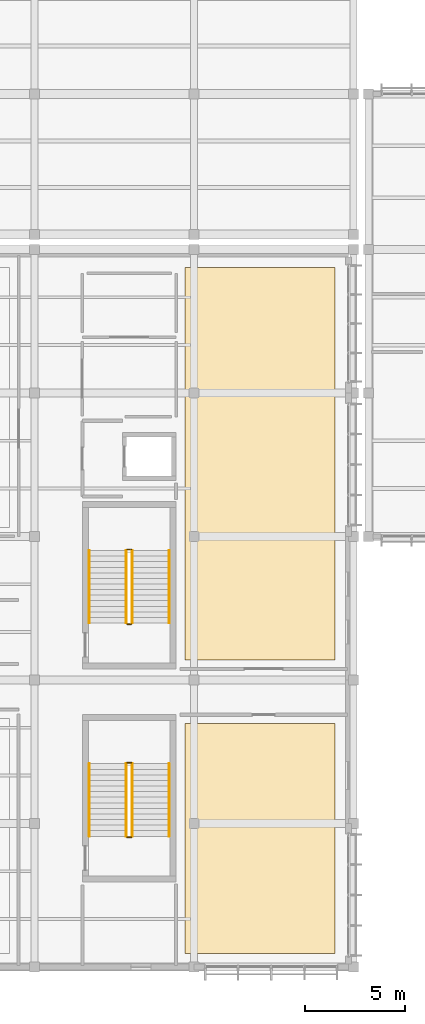
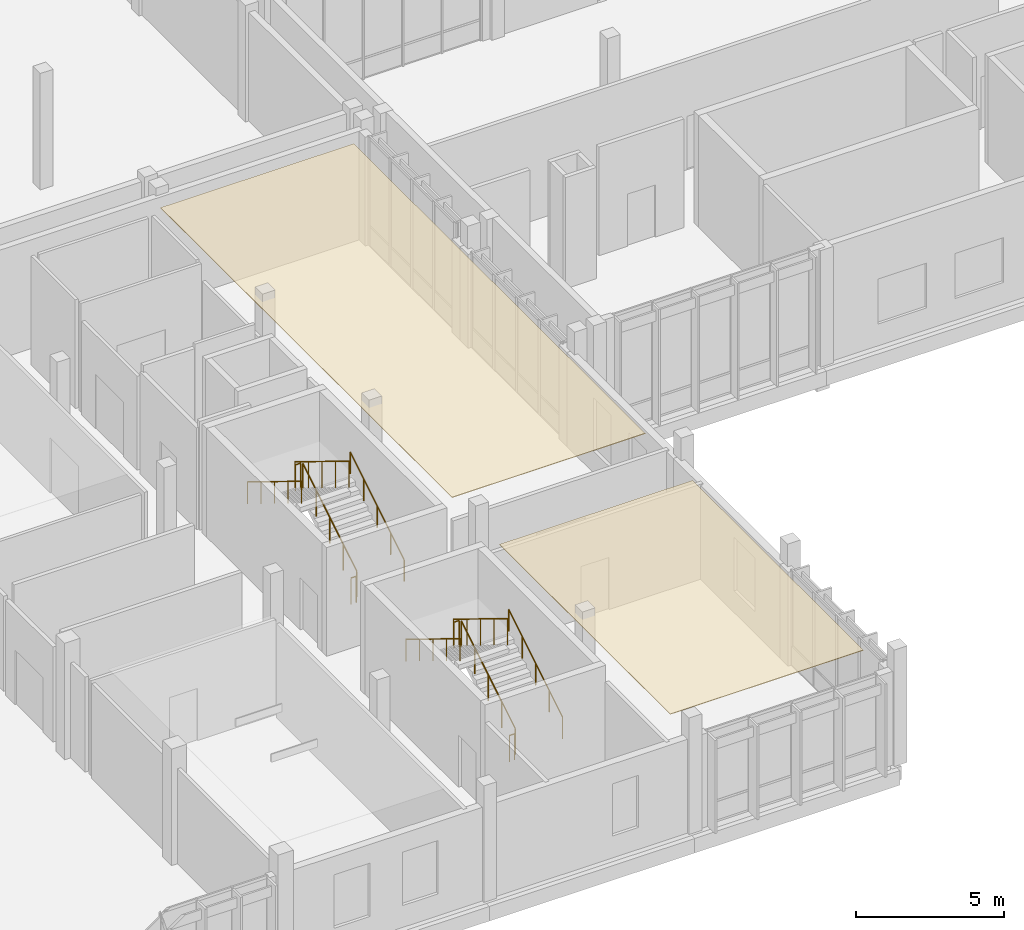
# One storey, part 165 of 177: 12 railings, 2 coverings.
"""IFC4 building model written with IfcOpenShell, lengths in metres."""

import ifcopenshell
import ifcopenshell.guid

model = None  # the IFC model being written
_history = None  # IfcOwnerHistory: only IFC2X3 demands one
_inside = {}  # id of a spatial element -> (the spatial element, [elements in it])
_under = {}  # id of a project, library or spatial element -> (it, [spatial elements below it])
_declared = {}  # id of a project -> (the project, [libraries it declares])
_typed = {}  # id of a type object -> (the type object, [elements of that type])
_made_of = {}  # id of a material, layer set ... -> (it, [elements and type objects made of it])


def new_model(schema):
    """Start an empty IFC model of exactly this schema.

    Asked for "IFC4X3", IfcOpenShell would pick the latest addendum, in which some entities
    have other attributes; the version numbers below select the first issue.
    IFC2X3 requires an IfcOwnerHistory on every rooted entity: one is made here for all.
    """
    global model, _history
    if schema == "IFC4X3":
        model = ifcopenshell.file(schema_version=(4, 3, 0, 0))
    else:
        model = ifcopenshell.file(schema=schema)
    _inside.clear()
    _under.clear()
    _declared.clear()
    _typed.clear()
    _made_of.clear()
    _history = None
    if model.schema == "IFC2X3":
        org = make("IfcOrganization", Name="unknown")
        user = make(
            "IfcPersonAndOrganization",
            ThePerson=make("IfcPerson", FamilyName="unknown"),
            TheOrganization=org,
        )
        app = make(
            "IfcApplication",
            ApplicationDeveloper=org,
            Version="unknown",
            ApplicationFullName="unknown",
            ApplicationIdentifier="unknown",
        )
        _history = make(
            "IfcOwnerHistory",
            OwningUser=user,
            OwningApplication=app,
            ChangeAction="ADDED",
            CreationDate=0,
        )
    return model


def make(cls, **values):
    """One entity of the class cls with the attributes given. An attribute that is None is left unset."""
    return model.create_entity(
        cls, **{name: value for name, value in values.items() if value is not None}
    )


def rooted(cls, **values):
    """An entity with a GlobalId (a new one), such as an element, a storey or a relation."""
    return make(cls, GlobalId=ifcopenshell.guid.new(), OwnerHistory=_history, **values)


def si_unit(unit_type, name, prefix=None):
    """IfcSIUnit, for example si_unit("LENGTHUNIT", "METRE", prefix="MILLI")."""
    return make("IfcSIUnit", UnitType=unit_type, Prefix=prefix, Name=name)


def assignment(units):
    """IfcUnitAssignment: the units of a project."""
    return None if units is None else make("IfcUnitAssignment", Units=units)


def point(xyz):
    """IfcCartesianPoint."""
    return None if xyz is None else make("IfcCartesianPoint", Coordinates=xyz)


def direction(xyz):
    """IfcDirection."""
    return None if xyz is None else make("IfcDirection", DirectionRatios=xyz)


def frame(location, z_axis=None, x_axis=None):
    """IfcAxis2Placement3D, a coordinate frame: its origin and axes. An axis left out is left unset."""
    return make(
        "IfcAxis2Placement3D",
        Location=point(location),
        Axis=direction(z_axis),
        RefDirection=direction(x_axis),
    )


def frame_2d(location, x_axis=None):
    """IfcAxis2Placement2D, a coordinate frame in the plane: its origin and x axis."""
    return make(
        "IfcAxis2Placement2D", Location=point(location), RefDirection=direction(x_axis)
    )


def origin():
    """The frame at (0, 0, 0) with its axes left unset."""
    return frame((0.0, 0.0, 0.0))


def origin_2d():
    """The frame at (0, 0) in the plane with its x axis left unset."""
    return frame_2d((0.0, 0.0))


def place(relative_to, where):
    """IfcLocalPlacement: puts the frame where relative to a parent placement (None: the world)."""
    return make(
        "IfcLocalPlacement", PlacementRelTo=relative_to, RelativePlacement=where
    )


def context(
    kind, dimensions, precision=None, world=None, true_north=None, identifier=None
):
    """IfcGeometricRepresentationContext, for example the 3D "Model" context."""
    return make(
        "IfcGeometricRepresentationContext",
        ContextIdentifier=identifier,
        ContextType=kind,
        CoordinateSpaceDimension=dimensions,
        Precision=precision,
        WorldCoordinateSystem=world,
        TrueNorth=true_north,
    )


def subcontext(parent, identifier, kind, view, scale=None):
    """IfcGeometricRepresentationSubContext, for example "Body" below "Model"."""
    return make(
        "IfcGeometricRepresentationSubContext",
        ContextIdentifier=identifier,
        ContextType=kind,
        ParentContext=parent,
        TargetScale=scale,
        TargetView=view,
    )


def project(units=None, contexts=None):
    """IfcProject with its units and contexts."""
    return rooted(
        "IfcProject",
        Name="project",
        RepresentationContexts=contexts,
        UnitsInContext=assignment(units),
    )


def spatial(cls, under=None, at=None, **own):
    """A site, building, storey or space (cls), placed at a placement, below another one or the project."""
    s = rooted(cls, ObjectPlacement=at, **own)
    if under is not None:
        _under.setdefault(under.id(), (under, []))[1].append(s)
    return s


def polyline(points):
    """IfcPolyline through the points."""
    return make("IfcPolyline", Points=[point(p) for p in points])


def profile(cls, at=None, kind="AREA", **sizes):
    """A parametric profile (cls). Its sizes go by their IFC names, for example OverallWidth=200.0."""
    return make(cls, ProfileType=kind, Position=at, **sizes)


def circle(**sizes):
    """IfcCircleProfileDef."""
    return profile("IfcCircleProfileDef", **sizes)


def outline(outer, holes=None, kind="AREA"):
    """IfcArbitraryClosedProfileDef: a profile drawn as a closed curve; with holes, ...WithVoids."""
    if holes is None:
        return make("IfcArbitraryClosedProfileDef", ProfileType=kind, OuterCurve=outer)
    return make(
        "IfcArbitraryProfileDefWithVoids",
        ProfileType=kind,
        OuterCurve=outer,
        InnerCurves=holes,
    )


def extrude(swept, where, along, depth):
    """IfcExtrudedAreaSolid: the profile swept, set in the frame where, extruded along a direction by depth."""
    return make(
        "IfcExtrudedAreaSolid",
        SweptArea=swept,
        Position=where,
        ExtrudedDirection=direction(along),
        Depth=depth,
    )


def shape(context_of_items, identifier, shape_type, items):
    """IfcShapeRepresentation: the items that make up one representation, for example the "Body"."""
    return make(
        "IfcShapeRepresentation",
        ContextOfItems=context_of_items,
        RepresentationIdentifier=identifier,
        RepresentationType=shape_type,
        Items=items,
    )


def material(Name=None, Category=None):
    """IfcMaterial."""
    return make("IfcMaterial", Name=Name, Category=Category)


def layer(
    of_material, thickness, ventilated=None, Name=None, Category=None, Priority=None
):
    """IfcMaterialLayer: one layer of a wall or slab, of a material (None: an air gap)."""
    return make(
        "IfcMaterialLayer",
        Material=of_material,
        LayerThickness=thickness,
        IsVentilated=ventilated,
        Name=Name,
        Category=Category,
        Priority=Priority,
    )


def layer_set(layers, Name=None):
    """IfcMaterialLayerSet."""
    return make("IfcMaterialLayerSet", MaterialLayers=layers, LayerSetName=Name)


def made_of(thing, what):
    """Note that an element or type object is made of a material, layer set ...; save() writes the relation."""
    if what is not None:
        _made_of.setdefault(what.id(), (what, []))[1].append(thing)
    return thing


def type_object(cls, material=None, **own):
    """A type object (cls), such as IfcWallType, which elements share."""
    return made_of(rooted(cls, **own), material)


def element(
    cls,
    number,
    at=None,
    inside=None,
    cuts=None,
    type_object=None,
    material=None,
    context=None,
    identifier="Body",
    shape_type=None,
    held_by="IfcProductDefinitionShape",
    body=None,
    shapes=None,
    **own,
):
    """One element of the class cls, such as IfcWall. Its Tag is "e" and its number.

    at: its placement. inside: the storey or other place that contains it. cuts: it is an
    opening in that element (IfcRelVoidsElement). A single representation is given by context,
    identifier, shape_type and body (its items); several are given by shapes. held_by: the class
    of the entity that holds the representations. save() writes the other relations.
    """
    e = rooted(cls, Tag="e%d" % number, ObjectPlacement=at, **own)
    if body is not None:
        shapes = [shape(context, identifier, shape_type, body)]
    if shapes is not None:
        e.Representation = make(held_by, Representations=shapes)
    if inside is not None:
        _inside.setdefault(inside.id(), (inside, []))[1].append(e)
    if cuts is not None:
        rooted(
            "IfcRelVoidsElement", RelatingBuildingElement=cuts, RelatedOpeningElement=e
        )
    if type_object is not None:
        _typed.setdefault(type_object.id(), (type_object, []))[1].append(e)
    return made_of(e, material)


def aggregate(whole, parts):
    """IfcRelAggregates: a whole, such as a stair, and the parts it consists of."""
    return rooted("IfcRelAggregates", RelatingObject=whole, RelatedObjects=parts)


def save(model, path):
    """Write the relations noted so far, then the file.

    IfcRelAggregates (storeys below a building ...), IfcRelContainedInSpatialStructure (elements
    in a storey), IfcRelDefinesByType, IfcRelAssociatesMaterial and IfcRelDeclares: one each for
    every whole, place, type object, material and project.
    """
    for whole, parts in _under.values():
        aggregate(whole, parts)
    for where, things in _inside.values():
        rooted(
            "IfcRelContainedInSpatialStructure",
            RelatedElements=things,
            RelatingStructure=where,
        )
    for kind, things in _typed.values():
        rooted("IfcRelDefinesByType", RelatedObjects=things, RelatingType=kind)
    for what, things in _made_of.values():
        rooted("IfcRelAssociatesMaterial", RelatedObjects=things, RelatingMaterial=what)
    for by, libraries in _declared.values():
        rooted("IfcRelDeclares", RelatingContext=by, RelatedDefinitions=libraries)
    model.write(path)


model = new_model("IFC4")

# Units and contexts
model_context = context("Model", 3, precision=1e-05, world=origin(), true_north=direction((0.0, 1.0)))
body_context = subcontext(model_context, "Body", "Model", "MODEL_VIEW")
ifc_project = project(units=[si_unit("LENGTHUNIT", "METRE"), si_unit("AREAUNIT", "SQUARE_METRE"), si_unit("VOLUMEUNIT", "CUBIC_METRE"), si_unit("PLANEANGLEUNIT", "RADIAN"), si_unit("MASSUNIT", "GRAM", prefix="KILO")], contexts=[model_context])

# Site, building, storey
site_placement = place(None, origin())
site = spatial("IfcSite", under=ifc_project, at=site_placement, CompositionType="ELEMENT")
building_placement = place(site_placement, origin())
building = spatial("IfcBuilding", under=site, at=building_placement, Name="Chiffa Square Polytechnic", CompositionType="ELEMENT")
storey_placement = place(building_placement, frame((0.0, 0.0, 4.800048828125)))
storey = spatial("IfcBuildingStorey", under=building, at=storey_placement, Name="L01", CompositionType="ELEMENT", Elevation=4.800048828125)

# Coverings
ifc_material_1 = material(Name="Perforated gypsum acoustic board")
ifc_layer_1 = layer(ifc_material_1, 0.02490234375, Name="Perforated gypsum acoustic board")
ifc_layer_set_1 = layer_set([ifc_layer_1], Name="Perforated gypsum acoustic board")
covering_type = type_object("IfcCoveringType", Name="COV-CEIL-GYP", PredefinedType="CEILING", material=ifc_layer_set_1)
covering_1_placement = place(storey_placement, frame((0.0, 0.0, 4.45703125)))
element("IfcCovering", 1, at=covering_1_placement, inside=storey, type_object=covering_type, Name="Suspended acoustic ceiling CL-V3-L01-030", PredefinedType="CEILING", context=body_context, shape_type="SweptSolid", body=[
    extrude(outline(polyline([(39.550048828125, 12.199951171875), (47.080078125, 12.199951171875), (47.080078125, 0.669921875), (39.550048828125, 0.669921875), (39.550048828125, 12.199951171875)])), origin(), (0.0, 0.0, 1.0), 0.02490234375),
])
covering_2_placement = place(storey_placement, frame((0.0, 0.0, 4.45703125)))
element("IfcCovering", 2, at=covering_2_placement, inside=storey, type_object=covering_type, Name="Suspended acoustic ceiling CL-V3-L01-031", PredefinedType="CEILING", context=body_context, shape_type="SweptSolid", body=[
    extrude(outline(polyline([(39.550048828125, 15.39990234375), (39.550048828125, 35.080078125), (47.080078125, 35.080078125), (47.080078125, 15.39990234375), (39.550048828125, 15.39990234375)])), origin(), (0.0, 0.0, 1.0), 0.02490234375),
])

# Railings
ifc_material_2 = material(Name="Steel S355", Category="steel")
ifc_layer_2 = layer(ifc_material_2, 0.050048828125, Name="Steel S355")
ifc_layer_set_2 = layer_set([ifc_layer_2], Name="Steel S355")
railing_type_1 = type_object("IfcRailingType", Name="RL-STAIR-GUARD", PredefinedType="GUARDRAIL", material=ifc_layer_set_2)
railing_1_placement = place(storey_placement, frame((36.89990234375, 6.550048828125, 0.17138671875)))
element("IfcRailing", 3, at=railing_1_placement, inside=storey, type_object=railing_type_1, Name="L01 ST-V3A stair guard 1", PredefinedType="GUARDRAIL", context=body_context, shape_type="SweptSolid", body=[
    extrude(circle(Radius=0.02392578125, at=origin_2d()), frame((0.0, 0.0, 1.076171875), z_axis=(0.0, 0.852850264322, 0.5221555579), x_axis=(-1.0, 0.0, 0.0)), (0.0, 0.0, 1.0), 4.267822265625),
    extrude(circle(Radius=0.02099609375, at=origin_2d()), origin(), (0.0, 0.0, 1.0), 1.052001953125),
    extrude(circle(Radius=0.02099609375, at=origin_2d()), frame((0.0, 0.909912109375, 0.55712890625)), (0.0, 0.0, 1.0), 1.052001953125),
    extrude(circle(Radius=0.02099609375, at=origin_2d()), frame((0.0, 1.81982421875, 1.1142578125)), (0.0, 0.0, 1.0), 1.052001953125),
    extrude(circle(Radius=0.02099609375, at=origin_2d()), frame((0.0, 2.72998046875, 1.67138671875)), (0.0, 0.0, 1.0), 1.052001953125),
    extrude(circle(Radius=0.02099609375, at=origin_2d()), frame((0.0, 3.639892578125, 2.228515625)), (0.0, 0.0, 1.0), 1.052001953125),
])
railing_2_placement = place(storey_placement, frame((36.85009765625, 10.239990234375, 2.39990234375)))
element("IfcRailing", 4, at=railing_2_placement, inside=storey, type_object=railing_type_1, Name="L01 ST-V3A stair guard 2", PredefinedType="GUARDRAIL", context=body_context, shape_type="SweptSolid", body=[
    extrude(circle(Radius=0.02392578125, at=origin_2d()), frame((0.0, 0.0, 1.076171875), z_axis=(-1.0, 0.0, 0.0), x_axis=(0.0, -1.0, 0.0)), (0.0, 0.0, 1.0), 0.2001953125),
    extrude(circle(Radius=0.02099609375, at=origin_2d()), origin(), (0.0, 0.0, 1.0), 1.052001953125),
    extrude(circle(Radius=0.02099609375, at=origin_2d()), frame((-0.2001953125, 0.0, 0.0)), (0.0, 0.0, 1.0), 1.052001953125),
])
railing_3_placement = place(storey_placement, frame((36.60009765625, 10.18994140625, 2.5712890625)))
element("IfcRailing", 5, at=railing_3_placement, inside=storey, type_object=railing_type_1, Name="L01 ST-V3A stair guard 3", PredefinedType="GUARDRAIL", context=body_context, shape_type="SweptSolid", body=[
    extrude(circle(Radius=0.02392578125, at=origin_2d()), frame((0.0, 0.0, 1.076171875), z_axis=(0.0, -0.852824790078, 0.522197163366), x_axis=(1.0, 0.0, 0.0)), (0.0, 0.0, 1.0), 4.26806640625),
    extrude(circle(Radius=0.02099609375, at=origin_2d()), origin(), (0.0, 0.0, 1.0), 1.052001953125),
    extrude(circle(Radius=0.02099609375, at=origin_2d()), frame((0.0, -0.909912109375, 0.55712890625)), (0.0, 0.0, 1.0), 1.052001953125),
    extrude(circle(Radius=0.02099609375, at=origin_2d()), frame((0.0, -1.81982421875, 1.1142578125)), (0.0, 0.0, 1.0), 1.052001953125),
    extrude(circle(Radius=0.02099609375, at=origin_2d()), frame((0.0, -2.72998046875, 1.671630859375)), (0.0, 0.0, 1.0), 1.052001953125),
    extrude(circle(Radius=0.02099609375, at=origin_2d()), frame((0.0, -3.639892578125, 2.228759765625)), (0.0, 0.0, 1.0), 1.052001953125),
])
railing_4_placement = place(storey_placement, frame((36.85009765625, 6.5, 0.0)))
element("IfcRailing", 6, at=railing_4_placement, inside=storey, type_object=railing_type_1, Name="L01 ST-V3A stair guard 4", PredefinedType="GUARDRAIL", context=body_context, shape_type="SweptSolid", body=[
    extrude(circle(Radius=0.02392578125, at=origin_2d()), frame((0.0, 0.0, 1.076171875), z_axis=(-1.0, 0.0, 0.0), x_axis=(0.0, -1.0, 0.0)), (0.0, 0.0, 1.0), 0.2001953125),
    extrude(circle(Radius=0.02099609375, at=origin_2d()), origin(), (0.0, 0.0, 1.0), 1.052001953125),
    extrude(circle(Radius=0.02099609375, at=origin_2d()), frame((-0.2001953125, 0.0, 0.0)), (0.0, 0.0, 1.0), 1.052001953125),
])
railing_5_placement = place(storey_placement, frame((36.89990234375, 17.25, 0.17138671875)))
element("IfcRailing", 7, at=railing_5_placement, inside=storey, type_object=railing_type_1, Name="L01 ST-V3B stair guard 1", PredefinedType="GUARDRAIL", context=body_context, shape_type="SweptSolid", body=[
    extrude(circle(Radius=0.02392578125, at=origin_2d()), frame((0.0, 0.0, 1.076171875), z_axis=(0.0, 0.852850264322, 0.5221555579), x_axis=(-1.0, 0.0, 0.0)), (0.0, 0.0, 1.0), 4.267822265625),
    extrude(circle(Radius=0.02099609375, at=origin_2d()), origin(), (0.0, 0.0, 1.0), 1.052001953125),
    extrude(circle(Radius=0.02099609375, at=origin_2d()), frame((0.0, 0.909912109375, 0.55712890625)), (0.0, 0.0, 1.0), 1.052001953125),
    extrude(circle(Radius=0.02099609375, at=origin_2d()), frame((0.0, 1.81982421875, 1.1142578125)), (0.0, 0.0, 1.0), 1.052001953125),
    extrude(circle(Radius=0.02099609375, at=origin_2d()), frame((0.0, 2.72998046875, 1.67138671875)), (0.0, 0.0, 1.0), 1.052001953125),
    extrude(circle(Radius=0.02099609375, at=origin_2d()), frame((0.0, 3.639892578125, 2.228515625)), (0.0, 0.0, 1.0), 1.052001953125),
])
railing_6_placement = place(storey_placement, frame((36.85009765625, 20.93994140625, 2.39990234375)))
element("IfcRailing", 8, at=railing_6_placement, inside=storey, type_object=railing_type_1, Name="L01 ST-V3B stair guard 2", PredefinedType="GUARDRAIL", context=body_context, shape_type="SweptSolid", body=[
    extrude(circle(Radius=0.02392578125, at=origin_2d()), frame((0.0, 0.0, 1.076171875), z_axis=(-1.0, 0.0, 0.0), x_axis=(0.0, -1.0, 0.0)), (0.0, 0.0, 1.0), 0.2001953125),
    extrude(circle(Radius=0.02099609375, at=origin_2d()), origin(), (0.0, 0.0, 1.0), 1.052001953125),
    extrude(circle(Radius=0.02099609375, at=origin_2d()), frame((-0.2001953125, 0.0, 0.0)), (0.0, 0.0, 1.0), 1.052001953125),
])
railing_7_placement = place(storey_placement, frame((36.60009765625, 20.889892578125, 2.5712890625)))
element("IfcRailing", 9, at=railing_7_placement, inside=storey, type_object=railing_type_1, Name="L01 ST-V3B stair guard 3", PredefinedType="GUARDRAIL", context=body_context, shape_type="SweptSolid", body=[
    extrude(circle(Radius=0.02392578125, at=origin_2d()), frame((0.0, 0.0, 1.076171875), z_axis=(0.0, -0.852824790078, 0.522197163366), x_axis=(1.0, 0.0, 0.0)), (0.0, 0.0, 1.0), 4.26806640625),
    extrude(circle(Radius=0.02099609375, at=origin_2d()), origin(), (0.0, 0.0, 1.0), 1.052001953125),
    extrude(circle(Radius=0.02099609375, at=origin_2d()), frame((0.0, -0.909912109375, 0.55712890625)), (0.0, 0.0, 1.0), 1.052001953125),
    extrude(circle(Radius=0.02099609375, at=origin_2d()), frame((0.0, -1.81982421875, 1.1142578125)), (0.0, 0.0, 1.0), 1.052001953125),
    extrude(circle(Radius=0.02099609375, at=origin_2d()), frame((0.0, -2.72998046875, 1.671630859375)), (0.0, 0.0, 1.0), 1.052001953125),
    extrude(circle(Radius=0.02099609375, at=origin_2d()), frame((0.0, -3.639892578125, 2.228759765625)), (0.0, 0.0, 1.0), 1.052001953125),
])
railing_8_placement = place(storey_placement, frame((36.85009765625, 17.199951171875, 0.0)))
element("IfcRailing", 10, at=railing_8_placement, inside=storey, type_object=railing_type_1, Name="L01 ST-V3B stair guard 4", PredefinedType="GUARDRAIL", context=body_context, shape_type="SweptSolid", body=[
    extrude(circle(Radius=0.02392578125, at=origin_2d()), frame((0.0, 0.0, 1.076171875), z_axis=(-1.0, 0.0, 0.0), x_axis=(0.0, -1.0, 0.0)), (0.0, 0.0, 1.0), 0.2001953125),
    extrude(circle(Radius=0.02099609375, at=origin_2d()), origin(), (0.0, 0.0, 1.0), 1.052001953125),
    extrude(circle(Radius=0.02099609375, at=origin_2d()), frame((-0.2001953125, 0.0, 0.0)), (0.0, 0.0, 1.0), 1.052001953125),
])
ifc_layer_3 = layer(ifc_material_2, 0.044921875, Name="Steel S355")
ifc_layer_set_3 = layer_set([ifc_layer_3], Name="Steel S355")
railing_type_2 = type_object("IfcRailingType", Name="RL-STAIR-HAND", PredefinedType="HANDRAIL", material=ifc_layer_set_3)
railing_9_placement = place(storey_placement, frame((38.75, 6.550048828125, 0.17138671875)))
element("IfcRailing", 11, at=railing_9_placement, inside=storey, type_object=railing_type_2, Name="L01 ST-V3A stair handrail 1", PredefinedType="HANDRAIL", context=body_context, shape_type="SweptSolid", body=[
    extrude(circle(Radius=0.02392578125, at=origin_2d()), frame((0.0, 0.0, 0.89599609375), z_axis=(0.0, 0.852850264322, 0.5221555579), x_axis=(-1.0, 0.0, 0.0)), (0.0, 0.0, 1.0), 4.267822265625),
    extrude(circle(Radius=0.02099609375, at=origin_2d()), origin(), (0.0, 0.0, 1.0), 0.871826171875),
    extrude(circle(Radius=0.02099609375, at=origin_2d()), frame((0.0, 0.909912109375, 0.55712890625)), (0.0, 0.0, 1.0), 0.871826171875),
    extrude(circle(Radius=0.02099609375, at=origin_2d()), frame((0.0, 1.81982421875, 1.1142578125)), (0.0, 0.0, 1.0), 0.871826171875),
    extrude(circle(Radius=0.02099609375, at=origin_2d()), frame((0.0, 2.72998046875, 1.67138671875)), (0.0, 0.0, 1.0), 0.871826171875),
    extrude(circle(Radius=0.02099609375, at=origin_2d()), frame((0.0, 3.639892578125, 2.228515625)), (0.0, 0.0, 1.0), 0.871826171875),
])
railing_10_placement = place(storey_placement, frame((34.75, 10.18994140625, 2.5712890625)))
element("IfcRailing", 12, at=railing_10_placement, inside=storey, type_object=railing_type_2, Name="L01 ST-V3A stair handrail 2", PredefinedType="HANDRAIL", context=body_context, shape_type="SweptSolid", body=[
    extrude(circle(Radius=0.02392578125, at=origin_2d()), frame((0.0, 0.0, 0.89599609375), z_axis=(0.0, -0.852824790078, 0.522197163366), x_axis=(1.0, 0.0, 0.0)), (0.0, 0.0, 1.0), 4.26806640625),
    extrude(circle(Radius=0.02099609375, at=origin_2d()), origin(), (0.0, 0.0, 1.0), 0.871826171875),
    extrude(circle(Radius=0.02099609375, at=origin_2d()), frame((0.0, -0.909912109375, 0.55712890625)), (0.0, 0.0, 1.0), 0.871826171875),
    extrude(circle(Radius=0.02099609375, at=origin_2d()), frame((0.0, -1.81982421875, 1.1142578125)), (0.0, 0.0, 1.0), 0.871826171875),
    extrude(circle(Radius=0.02099609375, at=origin_2d()), frame((0.0, -2.72998046875, 1.671630859375)), (0.0, 0.0, 1.0), 0.871826171875),
    extrude(circle(Radius=0.02099609375, at=origin_2d()), frame((0.0, -3.639892578125, 2.228759765625)), (0.0, 0.0, 1.0), 0.871826171875),
])
railing_11_placement = place(storey_placement, frame((38.75, 17.25, 0.17138671875)))
element("IfcRailing", 13, at=railing_11_placement, inside=storey, type_object=railing_type_2, Name="L01 ST-V3B stair handrail 1", PredefinedType="HANDRAIL", context=body_context, shape_type="SweptSolid", body=[
    extrude(circle(Radius=0.02392578125, at=origin_2d()), frame((0.0, 0.0, 0.89599609375), z_axis=(0.0, 0.852850264322, 0.5221555579), x_axis=(-1.0, 0.0, 0.0)), (0.0, 0.0, 1.0), 4.267822265625),
    extrude(circle(Radius=0.02099609375, at=origin_2d()), origin(), (0.0, 0.0, 1.0), 0.871826171875),
    extrude(circle(Radius=0.02099609375, at=origin_2d()), frame((0.0, 0.909912109375, 0.55712890625)), (0.0, 0.0, 1.0), 0.871826171875),
    extrude(circle(Radius=0.02099609375, at=origin_2d()), frame((0.0, 1.81982421875, 1.1142578125)), (0.0, 0.0, 1.0), 0.871826171875),
    extrude(circle(Radius=0.02099609375, at=origin_2d()), frame((0.0, 2.72998046875, 1.67138671875)), (0.0, 0.0, 1.0), 0.871826171875),
    extrude(circle(Radius=0.02099609375, at=origin_2d()), frame((0.0, 3.639892578125, 2.228515625)), (0.0, 0.0, 1.0), 0.871826171875),
])
railing_12_placement = place(storey_placement, frame((34.75, 20.889892578125, 2.5712890625)))
element("IfcRailing", 14, at=railing_12_placement, inside=storey, type_object=railing_type_2, Name="L01 ST-V3B stair handrail 2", PredefinedType="HANDRAIL", context=body_context, shape_type="SweptSolid", body=[
    extrude(circle(Radius=0.02392578125, at=origin_2d()), frame((0.0, 0.0, 0.89599609375), z_axis=(0.0, -0.852824790078, 0.522197163366), x_axis=(1.0, 0.0, 0.0)), (0.0, 0.0, 1.0), 4.26806640625),
    extrude(circle(Radius=0.02099609375, at=origin_2d()), origin(), (0.0, 0.0, 1.0), 0.871826171875),
    extrude(circle(Radius=0.02099609375, at=origin_2d()), frame((0.0, -0.909912109375, 0.55712890625)), (0.0, 0.0, 1.0), 0.871826171875),
    extrude(circle(Radius=0.02099609375, at=origin_2d()), frame((0.0, -1.81982421875, 1.1142578125)), (0.0, 0.0, 1.0), 0.871826171875),
    extrude(circle(Radius=0.02099609375, at=origin_2d()), frame((0.0, -2.72998046875, 1.671630859375)), (0.0, 0.0, 1.0), 0.871826171875),
    extrude(circle(Radius=0.02099609375, at=origin_2d()), frame((0.0, -3.639892578125, 2.228759765625)), (0.0, 0.0, 1.0), 0.871826171875),
])

save(model, "model.ifc")
